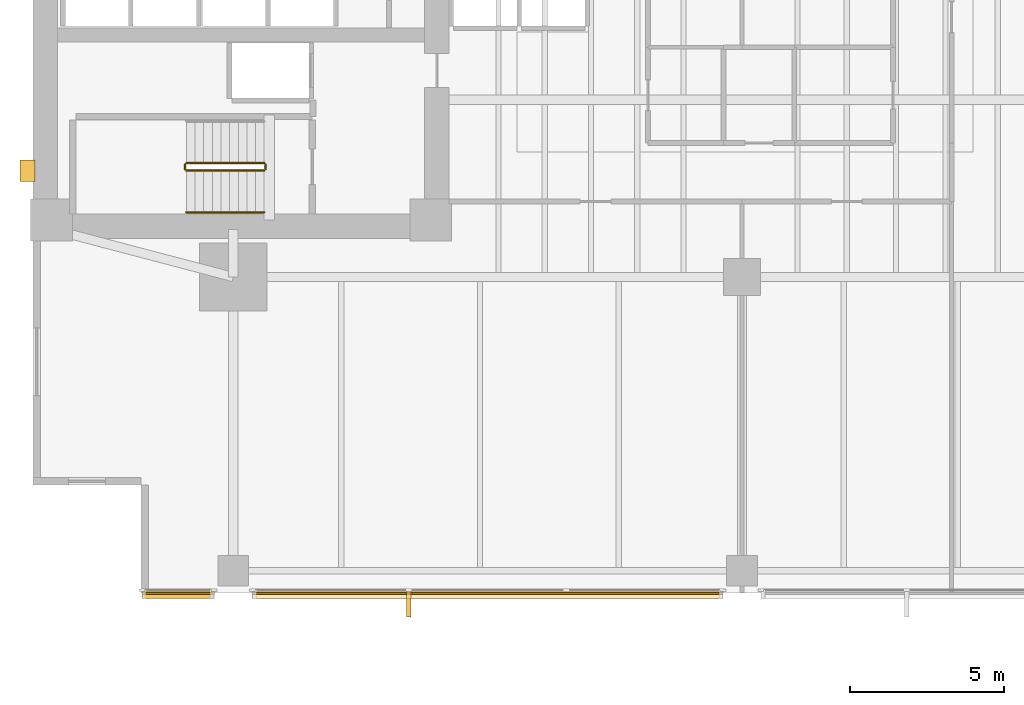
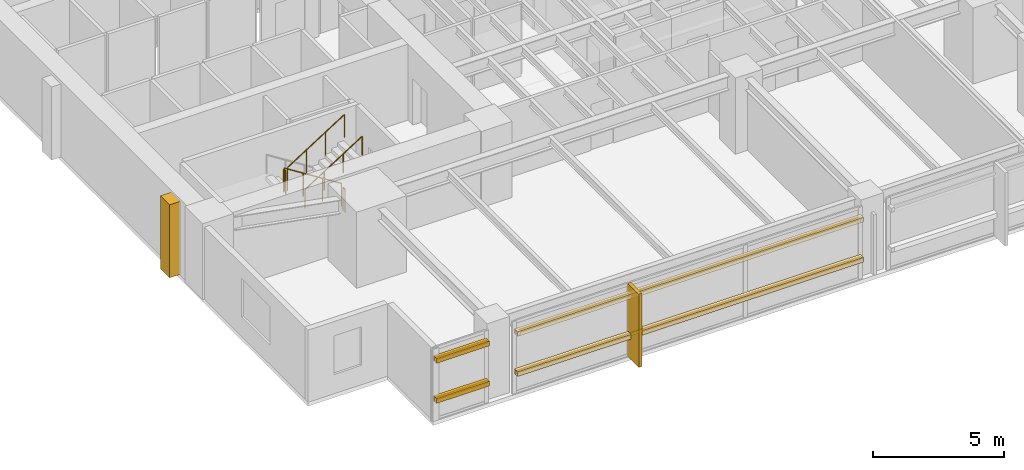
# One storey, part 12 of 15: 6 coverings, 5 railings, 4 shading devices.
"""IFC4 building model written with IfcOpenShell, lengths in metres."""

import ifcopenshell
import ifcopenshell.guid

model = None  # the IFC model being written
_history = None  # IfcOwnerHistory: only IFC2X3 demands one
_inside = {}  # id of a spatial element -> (the spatial element, [elements in it])
_under = {}  # id of a project, library or spatial element -> (it, [spatial elements below it])
_declared = {}  # id of a project -> (the project, [libraries it declares])
_typed = {}  # id of a type object -> (the type object, [elements of that type])
_made_of = {}  # id of a material, layer set ... -> (it, [elements and type objects made of it])


def new_model(schema):
    """Start an empty IFC model of exactly this schema.

    Asked for "IFC4X3", IfcOpenShell would pick the latest addendum, in which some entities
    have other attributes; the version numbers below select the first issue.
    IFC2X3 requires an IfcOwnerHistory on every rooted entity: one is made here for all.
    """
    global model, _history
    if schema == "IFC4X3":
        model = ifcopenshell.file(schema_version=(4, 3, 0, 0))
    else:
        model = ifcopenshell.file(schema=schema)
    _inside.clear()
    _under.clear()
    _declared.clear()
    _typed.clear()
    _made_of.clear()
    _history = None
    if model.schema == "IFC2X3":
        org = make("IfcOrganization", Name="unknown")
        user = make(
            "IfcPersonAndOrganization",
            ThePerson=make("IfcPerson", FamilyName="unknown"),
            TheOrganization=org,
        )
        app = make(
            "IfcApplication",
            ApplicationDeveloper=org,
            Version="unknown",
            ApplicationFullName="unknown",
            ApplicationIdentifier="unknown",
        )
        _history = make(
            "IfcOwnerHistory",
            OwningUser=user,
            OwningApplication=app,
            ChangeAction="ADDED",
            CreationDate=0,
        )
    return model


def make(cls, **values):
    """One entity of the class cls with the attributes given. An attribute that is None is left unset."""
    return model.create_entity(
        cls, **{name: value for name, value in values.items() if value is not None}
    )


def rooted(cls, **values):
    """An entity with a GlobalId (a new one), such as an element, a storey or a relation."""
    return make(cls, GlobalId=ifcopenshell.guid.new(), OwnerHistory=_history, **values)


def si_unit(unit_type, name, prefix=None):
    """IfcSIUnit, for example si_unit("LENGTHUNIT", "METRE", prefix="MILLI")."""
    return make("IfcSIUnit", UnitType=unit_type, Prefix=prefix, Name=name)


def assignment(units):
    """IfcUnitAssignment: the units of a project."""
    return None if units is None else make("IfcUnitAssignment", Units=units)


def point(xyz):
    """IfcCartesianPoint."""
    return None if xyz is None else make("IfcCartesianPoint", Coordinates=xyz)


def direction(xyz):
    """IfcDirection."""
    return None if xyz is None else make("IfcDirection", DirectionRatios=xyz)


def frame(location, z_axis=None, x_axis=None):
    """IfcAxis2Placement3D, a coordinate frame: its origin and axes. An axis left out is left unset."""
    return make(
        "IfcAxis2Placement3D",
        Location=point(location),
        Axis=direction(z_axis),
        RefDirection=direction(x_axis),
    )


def frame_2d(location, x_axis=None):
    """IfcAxis2Placement2D, a coordinate frame in the plane: its origin and x axis."""
    return make(
        "IfcAxis2Placement2D", Location=point(location), RefDirection=direction(x_axis)
    )


def origin():
    """The frame at (0, 0, 0) with its axes left unset."""
    return frame((0.0, 0.0, 0.0))


def origin_2d():
    """The frame at (0, 0) in the plane with its x axis left unset."""
    return frame_2d((0.0, 0.0))


def place(relative_to, where):
    """IfcLocalPlacement: puts the frame where relative to a parent placement (None: the world)."""
    return make(
        "IfcLocalPlacement", PlacementRelTo=relative_to, RelativePlacement=where
    )


def context(
    kind, dimensions, precision=None, world=None, true_north=None, identifier=None
):
    """IfcGeometricRepresentationContext, for example the 3D "Model" context."""
    return make(
        "IfcGeometricRepresentationContext",
        ContextIdentifier=identifier,
        ContextType=kind,
        CoordinateSpaceDimension=dimensions,
        Precision=precision,
        WorldCoordinateSystem=world,
        TrueNorth=true_north,
    )


def subcontext(parent, identifier, kind, view, scale=None):
    """IfcGeometricRepresentationSubContext, for example "Body" below "Model"."""
    return make(
        "IfcGeometricRepresentationSubContext",
        ContextIdentifier=identifier,
        ContextType=kind,
        ParentContext=parent,
        TargetScale=scale,
        TargetView=view,
    )


def project(units=None, contexts=None):
    """IfcProject with its units and contexts."""
    return rooted(
        "IfcProject",
        Name="project",
        RepresentationContexts=contexts,
        UnitsInContext=assignment(units),
    )


def spatial(cls, under=None, at=None, **own):
    """A site, building, storey or space (cls), placed at a placement, below another one or the project."""
    s = rooted(cls, ObjectPlacement=at, **own)
    if under is not None:
        _under.setdefault(under.id(), (under, []))[1].append(s)
    return s


def polyline(points):
    """IfcPolyline through the points."""
    return make("IfcPolyline", Points=[point(p) for p in points])


def profile(cls, at=None, kind="AREA", **sizes):
    """A parametric profile (cls). Its sizes go by their IFC names, for example OverallWidth=200.0."""
    return make(cls, ProfileType=kind, Position=at, **sizes)


def rectangle(**sizes):
    """IfcRectangleProfileDef."""
    return profile("IfcRectangleProfileDef", **sizes)


def circle(**sizes):
    """IfcCircleProfileDef."""
    return profile("IfcCircleProfileDef", **sizes)


def outline(outer, holes=None, kind="AREA"):
    """IfcArbitraryClosedProfileDef: a profile drawn as a closed curve; with holes, ...WithVoids."""
    if holes is None:
        return make("IfcArbitraryClosedProfileDef", ProfileType=kind, OuterCurve=outer)
    return make(
        "IfcArbitraryProfileDefWithVoids",
        ProfileType=kind,
        OuterCurve=outer,
        InnerCurves=holes,
    )


def extrude(swept, where, along, depth):
    """IfcExtrudedAreaSolid: the profile swept, set in the frame where, extruded along a direction by depth."""
    return make(
        "IfcExtrudedAreaSolid",
        SweptArea=swept,
        Position=where,
        ExtrudedDirection=direction(along),
        Depth=depth,
    )


def shape(context_of_items, identifier, shape_type, items):
    """IfcShapeRepresentation: the items that make up one representation, for example the "Body"."""
    return make(
        "IfcShapeRepresentation",
        ContextOfItems=context_of_items,
        RepresentationIdentifier=identifier,
        RepresentationType=shape_type,
        Items=items,
    )


def material(Name=None, Category=None):
    """IfcMaterial."""
    return make("IfcMaterial", Name=Name, Category=Category)


def layer(
    of_material, thickness, ventilated=None, Name=None, Category=None, Priority=None
):
    """IfcMaterialLayer: one layer of a wall or slab, of a material (None: an air gap)."""
    return make(
        "IfcMaterialLayer",
        Material=of_material,
        LayerThickness=thickness,
        IsVentilated=ventilated,
        Name=Name,
        Category=Category,
        Priority=Priority,
    )


def layer_set(layers, Name=None):
    """IfcMaterialLayerSet."""
    return make("IfcMaterialLayerSet", MaterialLayers=layers, LayerSetName=Name)


def material_profile(
    of_material, cross_section, Name=None, Category=None, Priority=None
):
    """IfcMaterialProfile: a cross section and its material."""
    return make(
        "IfcMaterialProfile",
        Name=Name,
        Material=of_material,
        Profile=cross_section,
        Priority=Priority,
        Category=Category,
    )


def profile_set(profiles, Name=None, composite=None):
    """IfcMaterialProfileSet."""
    return make(
        "IfcMaterialProfileSet",
        Name=Name,
        MaterialProfiles=profiles,
        CompositeProfile=composite,
    )


def made_of(thing, what):
    """Note that an element or type object is made of a material, layer set ...; save() writes the relation."""
    if what is not None:
        _made_of.setdefault(what.id(), (what, []))[1].append(thing)
    return thing


def type_object(cls, material=None, **own):
    """A type object (cls), such as IfcWallType, which elements share."""
    return made_of(rooted(cls, **own), material)


def element(
    cls,
    number,
    at=None,
    inside=None,
    cuts=None,
    type_object=None,
    material=None,
    context=None,
    identifier="Body",
    shape_type=None,
    held_by="IfcProductDefinitionShape",
    body=None,
    shapes=None,
    **own,
):
    """One element of the class cls, such as IfcWall. Its Tag is "e" and its number.

    at: its placement. inside: the storey or other place that contains it. cuts: it is an
    opening in that element (IfcRelVoidsElement). A single representation is given by context,
    identifier, shape_type and body (its items); several are given by shapes. held_by: the class
    of the entity that holds the representations. save() writes the other relations.
    """
    e = rooted(cls, Tag="e%d" % number, ObjectPlacement=at, **own)
    if body is not None:
        shapes = [shape(context, identifier, shape_type, body)]
    if shapes is not None:
        e.Representation = make(held_by, Representations=shapes)
    if inside is not None:
        _inside.setdefault(inside.id(), (inside, []))[1].append(e)
    if cuts is not None:
        rooted(
            "IfcRelVoidsElement", RelatingBuildingElement=cuts, RelatedOpeningElement=e
        )
    if type_object is not None:
        _typed.setdefault(type_object.id(), (type_object, []))[1].append(e)
    return made_of(e, material)


def aggregate(whole, parts):
    """IfcRelAggregates: a whole, such as a stair, and the parts it consists of."""
    return rooted("IfcRelAggregates", RelatingObject=whole, RelatedObjects=parts)


def save(model, path):
    """Write the relations noted so far, then the file.

    IfcRelAggregates (storeys below a building ...), IfcRelContainedInSpatialStructure (elements
    in a storey), IfcRelDefinesByType, IfcRelAssociatesMaterial and IfcRelDeclares: one each for
    every whole, place, type object, material and project.
    """
    for whole, parts in _under.values():
        aggregate(whole, parts)
    for where, things in _inside.values():
        rooted(
            "IfcRelContainedInSpatialStructure",
            RelatedElements=things,
            RelatingStructure=where,
        )
    for kind, things in _typed.values():
        rooted("IfcRelDefinesByType", RelatedObjects=things, RelatingType=kind)
    for what, things in _made_of.values():
        rooted("IfcRelAssociatesMaterial", RelatedObjects=things, RelatingMaterial=what)
    for by, libraries in _declared.values():
        rooted("IfcRelDeclares", RelatingContext=by, RelatedDefinitions=libraries)
    model.write(path)


model = new_model("IFC4")

# Units and contexts
model_context = context("Model", 3, precision=1e-05, world=origin(), true_north=direction((0.0, 1.0)))
body_context = subcontext(model_context, "Body", "Model", "MODEL_VIEW")
ifc_project = project(units=[si_unit("LENGTHUNIT", "METRE"), si_unit("AREAUNIT", "SQUARE_METRE"), si_unit("VOLUMEUNIT", "CUBIC_METRE"), si_unit("PLANEANGLEUNIT", "RADIAN"), si_unit("MASSUNIT", "GRAM", prefix="KILO")], contexts=[model_context])

# Site, building, storey
site_placement = place(None, origin())
site = spatial("IfcSite", under=ifc_project, at=site_placement, CompositionType="ELEMENT")
building_placement = place(site_placement, origin())
building = spatial("IfcBuilding", under=site, at=building_placement, Name="Kinhvarn Gate Tower", CompositionType="ELEMENT")
storey_placement = place(building_placement, frame((0.0, 0.0, 36.25)))
storey = spatial("IfcBuildingStorey", under=building, at=storey_placement, Name="L08", CompositionType="ELEMENT", Elevation=36.25)

# Coverings
ifc_material_1 = material(Name="Fired architectural terracotta", Category="masonry")
ifc_layer_1 = layer(ifc_material_1, 0.239990234375)
ifc_layer_set_1 = layer_set([ifc_layer_1], Name="Fired architectural terracotta")
covering_type_1 = type_object("IfcCoveringType", Name="COV-BAG-220", PredefinedType="CLADDING", material=ifc_layer_set_1)
for number, where, name in (
    (1, (0.0, 0.0, 0.93994140625), "Terracotta Horizontal Sunscreen Band TBG-220 (L08)"),
    (2, (0.0, 0.0, 2.81005859375), "Terracotta Horizontal Sunscreen Band TBG-220 (L08)"),
):
    element("IfcCovering", number, at=place(storey_placement, frame(where)), inside=storey, type_object=covering_type_1, Name=name, PredefinedType="CLADDING", context=body_context, shape_type="SweptSolid", body=[
        extrude(outline(polyline([(8.0400390625, 2.56005859375), (10.3798828125, 2.56005859375), (10.3798828125, 2.320068359375), (8.0400390625, 2.320068359375), (8.0400390625, 2.56005859375)])), origin(), (0.0, 0.0, 1.0), 0.219970703125),
    ])
for number, where, name in (
    (3, (0.0, 0.0, 0.93994140625), "Terracotta Horizontal Sunscreen Band TBG-220 (L08)"),
    (4, (0.0, 0.0, 2.81005859375), "Terracotta Horizontal Sunscreen Band TBG-220 (L08)"),
):
    element("IfcCovering", number, at=place(storey_placement, frame(where)), inside=storey, type_object=covering_type_1, Name=name, PredefinedType="CLADDING", context=body_context, shape_type="SweptSolid", body=[
        extrude(outline(polyline([(11.6201171875, 2.56005859375), (26.8798828125, 2.56005859375), (26.8798828125, 2.320068359375), (11.6201171875, 2.320068359375), (11.6201171875, 2.56005859375)])), origin(), (0.0, 0.0, 1.0), 0.219970703125),
    ])
ifc_layer_2 = layer(ifc_material_1, 0.139892578125)
ifc_layer_set_2 = layer_set([ifc_layer_2], Name="Fired architectural terracotta")
covering_type_2 = type_object("IfcCoveringType", Name="COV-FIN-850", PredefinedType="CLADDING", material=ifc_layer_set_2)
covering_1_placement = place(storey_placement, frame((0.0, 0.0, -0.02001953125)))
element("IfcCovering", 5, at=covering_1_placement, inside=storey, type_object=covering_type_2, Name="Vertical Terracotta Expressive Fin TFN-850 (L08)", PredefinedType="CLADDING", context=body_context, shape_type="SweptSolid", body=[
    extrude(outline(polyline([(16.623291015625, 2.570068359375), (16.76318359375, 2.570068359375), (16.76318359375, 1.719970703125), (16.623291015625, 1.719970703125), (16.623291015625, 2.570068359375)])), origin(), (0.0, 0.0, 1.0), 3.409912109375),
])
ifc_material_2 = material(Name="Precast white architectural concrete C40/50", Category="concrete")
ifc_layer_3 = layer(ifc_material_2, 0.47998046875)
ifc_layer_set_3 = layer_set([ifc_layer_3], Name="Precast white architectural concrete C40/50")
covering_type_3 = type_object("IfcCoveringType", Name="COV-RIB-450", PredefinedType="CLADDING", material=ifc_layer_set_3)
covering_2_placement = place(storey_placement, frame((0.0, 0.0, -0.02001953125)))
element("IfcCovering", 6, at=covering_2_placement, inside=storey, type_object=covering_type_3, Name="West Core Sculptural Concrete Relief Rib CRB-450 (L08)", PredefinedType="CLADDING", context=body_context, shape_type="SweptSolid", body=[
    extrude(outline(polyline([(4.080078125, 15.85009765625), (4.56005859375, 15.85009765625), (4.56005859375, 16.550048828125), (4.080078125, 16.550048828125), (4.080078125, 15.85009765625)])), origin(), (0.0, 0.0, 1.0), 3.409912109375),
])

# Railings
ifc_material_3 = material(Name="Steel S355", Category="steel")
railing_type_1 = type_object("IfcRailingType", Name="RL-ST-GRD", PredefinedType="BALUSTRADE", material=ifc_material_3)
railing_1_placement = place(storey_placement, frame((12.0, 16.449951171875, 0.177490234375)))
element("IfcRailing", 7, at=railing_1_placement, inside=storey, type_object=railing_type_1, Name="L08 ST1 stair guard 1", PredefinedType="BALUSTRADE", context=body_context, shape_type="SweptSolid", body=[
    extrude(circle(Radius=0.02392578125, at=origin_2d()), frame((0.0, 0.0, 1.076171875), z_axis=(-0.84460694969, 0.0, 0.535386869969), x_axis=(0.0, -1.0, 0.0)), (0.0, 0.0, 1.0), 2.983642578125),
    extrude(circle(Radius=0.02099609375, at=origin_2d()), origin(), (0.0, 0.0, 1.0), 1.052001953125),
    extrude(circle(Radius=0.02099609375, at=origin_2d()), frame((-0.840087890625, 0.0, 0.532470703125)), (0.0, 0.0, 1.0), 1.052001953125),
    extrude(circle(Radius=0.02099609375, at=origin_2d()), frame((-1.679931640625, 0.0, 1.06494140625)), (0.0, 0.0, 1.0), 1.052001953125),
    extrude(circle(Radius=0.02099609375, at=origin_2d()), frame((-2.52001953125, 0.0, 1.597412109375)), (0.0, 0.0, 1.0), 1.052001953125),
])
railing_2_placement = place(storey_placement, frame((9.429931640625, 16.39990234375, 1.77490234375)))
element("IfcRailing", 8, at=railing_2_placement, inside=storey, type_object=railing_type_1, Name="L08 ST1 stair guard 2", PredefinedType="BALUSTRADE", context=body_context, shape_type="SweptSolid", body=[
    extrude(circle(Radius=0.02392578125, at=origin_2d()), frame((0.0, 0.0, 1.076171875), z_axis=(0.0, -1.0, 0.0), x_axis=(1.0, 0.0, 0.0)), (0.0, 0.0, 1.0), 0.14990234375),
    extrude(circle(Radius=0.02099609375, at=origin_2d()), origin(), (0.0, 0.0, 1.0), 1.052001953125),
    extrude(circle(Radius=0.02099609375, at=origin_2d()), frame((0.0, -0.14990234375, 0.0)), (0.0, 0.0, 1.0), 1.052001953125),
])
railing_3_placement = place(storey_placement, frame((9.47998046875, 16.199951171875, 1.952392578125)))
element("IfcRailing", 9, at=railing_3_placement, inside=storey, type_object=railing_type_1, Name="L08 ST1 stair guard 3", PredefinedType="BALUSTRADE", context=body_context, shape_type="SweptSolid", body=[
    extrude(circle(Radius=0.02392578125, at=origin_2d()), frame((0.0, 0.0, 1.076171875), z_axis=(0.84456994832, 0.0, 0.535445237532), x_axis=(0.0, 1.0, 0.0)), (0.0, 0.0, 1.0), 2.98388671875),
    extrude(circle(Radius=0.02099609375, at=origin_2d()), origin(), (0.0, 0.0, 1.0), 1.052001953125),
    extrude(circle(Radius=0.02099609375, at=origin_2d()), frame((0.840087890625, 0.0, 0.532470703125)), (0.0, 0.0, 1.0), 1.052001953125),
    extrude(circle(Radius=0.02099609375, at=origin_2d()), frame((1.679931640625, 0.0, 1.065185546875)), (0.0, 0.0, 1.0), 1.052001953125),
    extrude(circle(Radius=0.02099609375, at=origin_2d()), frame((2.52001953125, 0.0, 1.59765625)), (0.0, 0.0, 1.0), 1.052001953125),
])
railing_4_placement = place(storey_placement, frame((12.050048828125, 16.39990234375, 0.0)))
element("IfcRailing", 10, at=railing_4_placement, inside=storey, type_object=railing_type_1, Name="L08 ST1 stair guard 4", PredefinedType="BALUSTRADE", context=body_context, shape_type="SweptSolid", body=[
    extrude(circle(Radius=0.02392578125, at=origin_2d()), frame((0.0, 0.0, 1.076171875), z_axis=(0.0, -1.0, 0.0), x_axis=(1.0, 0.0, 0.0)), (0.0, 0.0, 1.0), 0.14990234375),
    extrude(circle(Radius=0.02099609375, at=origin_2d()), origin(), (0.0, 0.0, 1.0), 1.052001953125),
    extrude(circle(Radius=0.02099609375, at=origin_2d()), frame((0.0, -0.14990234375, 0.0)), (0.0, 0.0, 1.0), 1.052001953125),
])
railing_type_2 = type_object("IfcRailingType", Name="RL-ST-HND", PredefinedType="HANDRAIL", material=ifc_material_3)
railing_5_placement = place(storey_placement, frame((9.47998046875, 14.85009765625, 1.952392578125)))
element("IfcRailing", 11, at=railing_5_placement, inside=storey, type_object=railing_type_2, Name="L08 ST1 stair handrail 2", PredefinedType="HANDRAIL", context=body_context, shape_type="SweptSolid", body=[
    extrude(circle(Radius=0.02392578125, at=origin_2d()), frame((0.0, 0.0, 0.8759765625), z_axis=(0.84456994832, 0.0, 0.535445237532), x_axis=(0.0, 1.0, 0.0)), (0.0, 0.0, 1.0), 2.98388671875),
    extrude(circle(Radius=0.02099609375, at=origin_2d()), origin(), (0.0, 0.0, 1.0), 0.851806640625),
    extrude(circle(Radius=0.02099609375, at=origin_2d()), frame((0.840087890625, 0.0, 0.532470703125)), (0.0, 0.0, 1.0), 0.851806640625),
    extrude(circle(Radius=0.02099609375, at=origin_2d()), frame((1.679931640625, 0.0, 1.065185546875)), (0.0, 0.0, 1.0), 0.851806640625),
    extrude(circle(Radius=0.02099609375, at=origin_2d()), frame((2.52001953125, 0.0, 1.59765625)), (0.0, 0.0, 1.0), 0.851806640625),
])

# Shading devices
ifc_material_profile = material_profile(ifc_material_1, rectangle(XDim=0.06005859375, YDim=0.139892578125, at=origin_2d()), Name="TC 60x140")
ifc_profile_set = profile_set([ifc_material_profile], Name="Fired architectural terracotta")
shading_device_type = type_object("IfcShadingDeviceType", Name="SHD-BAG-180", PredefinedType="USERDEFINED", material=ifc_profile_set)
for number, where, z_axis, x_axis, name in (
    (12, (8.0400390625, 2.485107421875, 1.050048828125), (1.0, 0.0, 0.0), (0.0, 1.0, 0.0), "Fired Terracotta Baguette Screen Rod 60x140 mm (L08)"),
    (13, (8.0400390625, 2.485107421875, 2.919921875), (1.0, 0.0, 0.0), (0.0, 1.0, 0.0), "Fired Terracotta Baguette Screen Rod 60x140 mm (L08)"),
):
    element("IfcShadingDevice", number, at=place(storey_placement, frame(where, z_axis=z_axis, x_axis=x_axis)), inside=storey, type_object=shading_device_type, Name=name, ObjectType="BAGUETTE", PredefinedType="USERDEFINED", context=body_context, shape_type="SweptSolid", body=[
        extrude(rectangle(XDim=0.06005859375, YDim=0.139892578125, at=origin_2d()), origin(), (0.0, 0.0, 1.0), 2.33984375),
    ])
for number, where, z_axis, x_axis, name in (
    (14, (11.6201171875, 2.485107421875, 1.050048828125), (1.0, 0.0, 0.0), (0.0, 1.0, 0.0), "Fired Terracotta Baguette Screen Rod 60x140 mm (L08)"),
    (15, (11.6201171875, 2.485107421875, 2.919921875), (1.0, 0.0, 0.0), (0.0, 1.0, 0.0), "Fired Terracotta Baguette Screen Rod 60x140 mm (L08)"),
):
    element("IfcShadingDevice", number, at=place(storey_placement, frame(where, z_axis=z_axis, x_axis=x_axis)), inside=storey, type_object=shading_device_type, Name=name, ObjectType="BAGUETTE", PredefinedType="USERDEFINED", context=body_context, shape_type="SweptSolid", body=[
        extrude(rectangle(XDim=0.06005859375, YDim=0.139892578125, at=origin_2d()), origin(), (0.0, 0.0, 1.0), 15.259765625),
    ])

save(model, "model.ifc")
